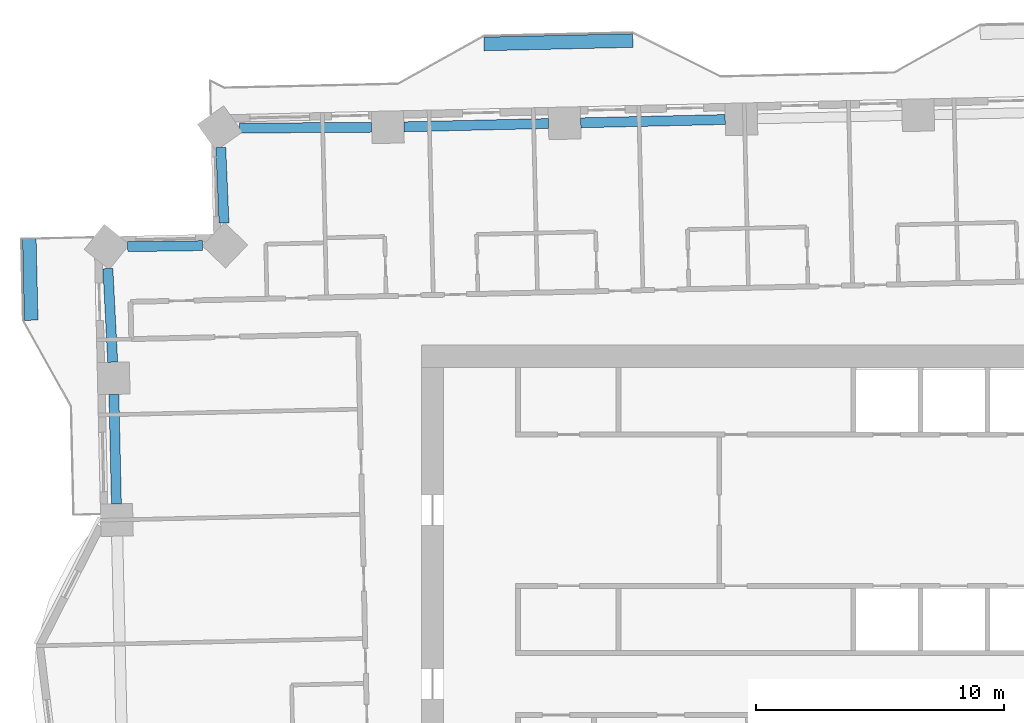
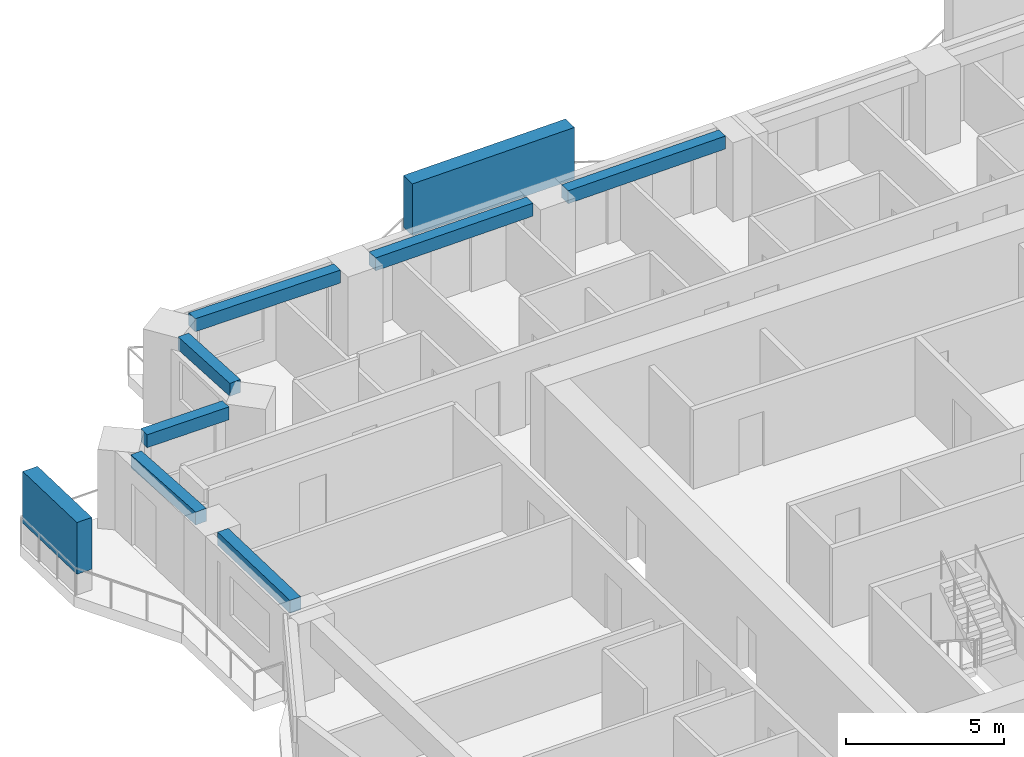
# One storey, part 3 of 16: 7 beams, 2 members.
"""IFC4 building model written with IfcOpenShell, lengths in metres."""

from ifc_helpers import new_model, si_unit, direction, frame, origin, origin_2d, place, context, subcontext, project, spatial, rectangle, extrude, material, material_profile, profile_set, type_object, element, save


model = new_model("IFC4")

# Units and contexts
model_context = context("Model", 3, precision=1e-05, world=origin(), true_north=direction((0.0, 1.0)))
body_context = subcontext(model_context, "Body", "Model", "MODEL_VIEW")
ifc_project = project(units=[si_unit("LENGTHUNIT", "METRE"), si_unit("AREAUNIT", "SQUARE_METRE"), si_unit("VOLUMEUNIT", "CUBIC_METRE"), si_unit("PLANEANGLEUNIT", "RADIAN"), si_unit("MASSUNIT", "GRAM", prefix="KILO")], contexts=[model_context])

# Site, building, storey
site_placement = place(None, origin())
site = spatial("IfcSite", under=ifc_project, at=site_placement, CompositionType="ELEMENT")
building_placement = place(site_placement, origin())
building = spatial("IfcBuilding", under=site, at=building_placement, Name="Mangrove Gate Tower", CompositionType="ELEMENT")
storey_placement = place(building_placement, frame((0.0, 0.0, 144.5)))
storey = spatial("IfcBuildingStorey", under=building, at=storey_placement, Name="L36", CompositionType="ELEMENT", Elevation=144.5)

# Members
ifc_material_1 = material(Name="Planting on aluminium trellis", Category="aluminium")
ifc_material_profile_1 = material_profile(ifc_material_1, rectangle(XDim=0.550048828125, YDim=2.0, at=origin_2d()))
ifc_profile_set_1 = profile_set([ifc_material_profile_1], Name="Planting on aluminium trellis")
member_type = type_object("IfcMemberType", Name="Balcony greenery screen 550x2000", PredefinedType="USERDEFINED", material=ifc_profile_set_1)
member_1_placement = place(storey_placement, frame((-12.180908203125, 23.8310546875, 1.800048828125), z_axis=(0.999739371644, 0.02282955947, 0.0), x_axis=(-0.02282955947, 0.999739371644, 0.0)))
element("IfcMember", 1, at=member_1_placement, inside=storey, type_object=member_type, Name="GREEN SCREEN L36 N1.1", ObjectType="PLANTING", PredefinedType="USERDEFINED", context=body_context, shape_type="SweptSolid", body=[
    extrude(rectangle(XDim=0.550048828125, YDim=2.0, at=origin_2d()), origin(), (0.0, 0.0, 1.0), 5.999267578125),
])
member_2_placement = place(storey_placement, frame((-30.419921875, 12.699951171875, 1.800048828125), z_axis=(-0.02278694782, 0.999740343794, 0.0), x_axis=(-0.999740343794, -0.02278694782, 0.0)))
element("IfcMember", 2, at=member_2_placement, inside=storey, type_object=member_type, Name="GREEN SCREEN L36 W0.1", ObjectType="PLANTING", PredefinedType="USERDEFINED", context=body_context, shape_type="SweptSolid", body=[
    extrude(rectangle(XDim=0.550048828125, YDim=2.0, at=origin_2d()), origin(), (0.0, 0.0, 1.0), 3.300048828125),
])

# Beams
ifc_material_2 = material(Name="Concrete C50/60", Category="concrete")
ifc_material_profile_2 = material_profile(ifc_material_2, rectangle(XDim=0.39990234375, YDim=0.5, at=origin_2d()))
ifc_profile_set_2 = profile_set([ifc_material_profile_2], Name="Concrete C50/60")
beam_type = type_object("IfcBeamType", Name="Edge beam RC 400x500 C50/60", PredefinedType="BEAM", material=ifc_profile_set_2)
beam_1_placement = place(storey_placement, frame((-2.458984375, 20.786376953125, 2.800048828125), z_axis=(-0.999741857186, -0.022720453126, 0.0), x_axis=(0.022720453126, -0.999741857186, 0.0)))
element("IfcBeam", 3, at=beam_1_placement, inside=storey, type_object=beam_type, Name="Edge beam L36 22", PredefinedType="BEAM", context=body_context, shape_type="SweptSolid", body=[
    extrude(rectangle(XDim=0.39990234375, YDim=0.5, at=origin_2d()), origin(), (0.0, 0.0, 1.0), 5.823974609375),
])
beam_2_placement = place(storey_placement, frame((-9.5810546875, 20.62451171875, 2.800048828125), z_axis=(-0.999744684453, -0.022595705507, 0.0), x_axis=(0.022595705507, -0.999744684453, 0.0)))
element("IfcBeam", 4, at=beam_2_placement, inside=storey, type_object=beam_type, Name="Edge beam L36 23", PredefinedType="BEAM", context=body_context, shape_type="SweptSolid", body=[
    extrude(rectangle(XDim=0.39990234375, YDim=0.5, at=origin_2d()), origin(), (0.0, 0.0, 1.0), 5.82373046875),
])
beam_3_placement = place(storey_placement, frame((-16.703369140625, 20.47412109375, 2.800048828125), z_axis=(-0.999979944176, -0.006333343995, 0.0), x_axis=(0.006333343995, -0.999979944176, 0.0)))
element("IfcBeam", 5, at=beam_3_placement, inside=storey, type_object=beam_type, Name="Edge beam L36 24", PredefinedType="BEAM", context=body_context, shape_type="SweptSolid", body=[
    extrude(rectangle(XDim=0.39990234375, YDim=0.5, at=origin_2d()), origin(), (0.0, 0.0, 1.0), 5.319580078125),
])
beam_4_placement = place(storey_placement, frame((-22.7822265625, 19.662841796875, 2.800048828125), z_axis=(0.04309999765, -0.999070763361, 0.0), x_axis=(0.999070763361, 0.04309999765, 0.0)))
element("IfcBeam", 6, at=beam_4_placement, inside=storey, type_object=beam_type, Name="Edge beam L36 25", PredefinedType="BEAM", context=body_context, shape_type="SweptSolid", body=[
    extrude(rectangle(XDim=0.39990234375, YDim=0.5, at=origin_2d()), origin(), (0.0, 0.0, 1.0), 3.047607421875),
])
beam_5_placement = place(storey_placement, frame((-23.523193359375, 15.705078125, 2.800048828125), z_axis=(-0.999902574754, -0.013958545805, 0.0), x_axis=(0.013958545805, -0.999902574754, 0.0)))
element("IfcBeam", 7, at=beam_5_placement, inside=storey, type_object=beam_type, Name="Edge beam L36 26", PredefinedType="BEAM", context=body_context, shape_type="SweptSolid", body=[
    extrude(rectangle(XDim=0.39990234375, YDim=0.5, at=origin_2d()), origin(), (0.0, 0.0, 1.0), 3.00830078125),
])
beam_6_placement = place(storey_placement, frame((-27.3291015625, 14.781982421875, 2.800048828125), z_axis=(0.05146940493, -0.998674571798, 0.0), x_axis=(0.998674571798, 0.05146940493, 0.0)))
element("IfcBeam", 8, at=beam_6_placement, inside=storey, type_object=beam_type, Name="Edge beam L36 27", PredefinedType="BEAM", context=body_context, shape_type="SweptSolid", body=[
    extrude(rectangle(XDim=0.39990234375, YDim=0.5, at=origin_2d()), origin(), (0.0, 0.0, 1.0), 3.775634765625),
])
beam_7_placement = place(storey_placement, frame((-27.08642578125, 9.7119140625, 2.800048828125), z_axis=(0.022745290406, -0.999741292417, 0.0), x_axis=(0.999741292417, 0.022745290406, 0.0)))
element("IfcBeam", 9, at=beam_7_placement, inside=storey, type_object=beam_type, Name="Edge beam L36 28", PredefinedType="BEAM", context=body_context, shape_type="SweptSolid", body=[
    extrude(rectangle(XDim=0.39990234375, YDim=0.5, at=origin_2d()), origin(), (0.0, 0.0, 1.0), 4.41162109375),
])

save(model, "model.ifc")
